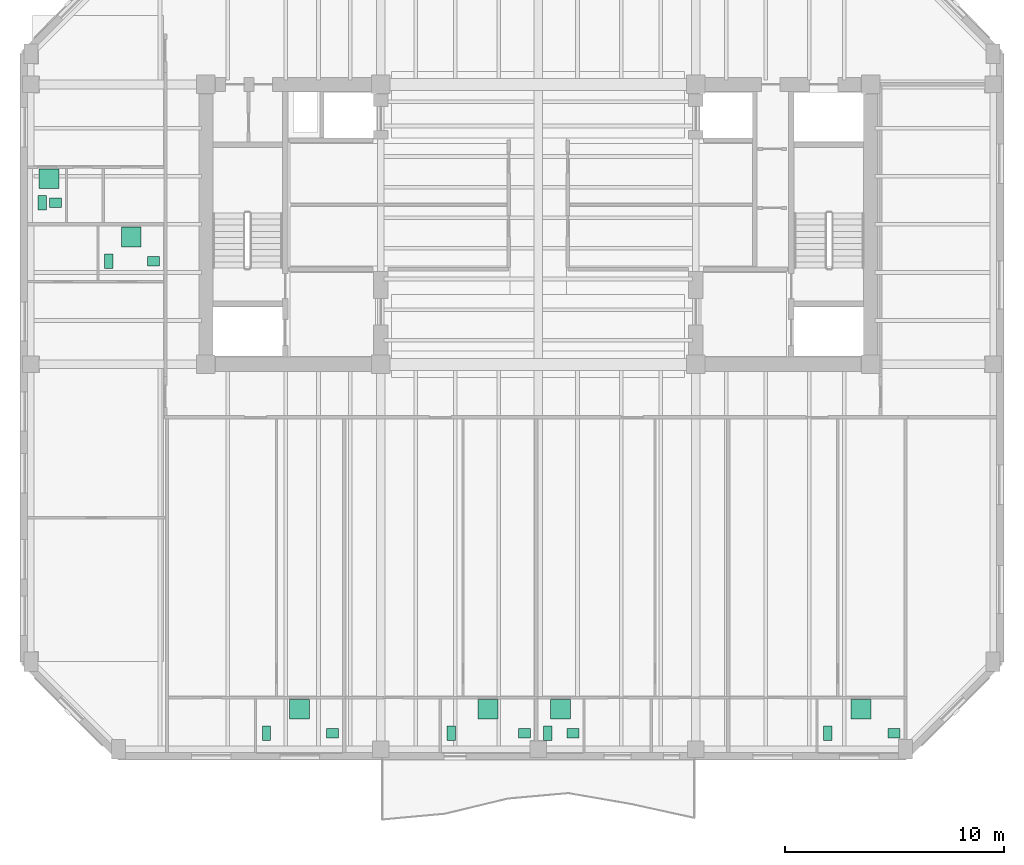
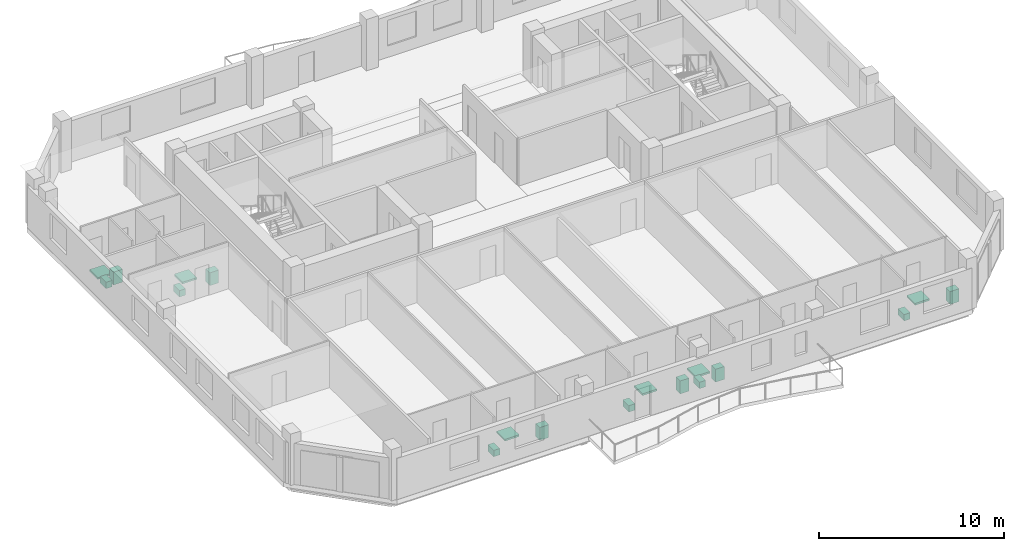
# One storey, part 11 of 11: 18 sanitary terminals.
"""IFC4 building model written with IfcOpenShell, lengths in metres."""

from ifc_helpers import new_model, si_unit, direction, frame, origin, origin_2d, place, context, subcontext, project, spatial, rectangle, extrude, material, type_object, element, save


model = new_model("IFC4")

# Units and contexts
model_context = context("Model", 3, precision=1e-05, world=origin(), true_north=direction((0.0, 1.0)))
body_context = subcontext(model_context, "Body", "Model", "MODEL_VIEW")
ifc_project = project(units=[si_unit("LENGTHUNIT", "METRE"), si_unit("AREAUNIT", "SQUARE_METRE"), si_unit("VOLUMEUNIT", "CUBIC_METRE"), si_unit("PLANEANGLEUNIT", "RADIAN"), si_unit("MASSUNIT", "GRAM", prefix="KILO")], contexts=[model_context])

# Site, building, storey
site_placement = place(None, origin())
site = spatial("IfcSite", under=ifc_project, at=site_placement, CompositionType="ELEMENT")
building_placement = place(site_placement, origin())
building = spatial("IfcBuilding", under=site, at=building_placement, Name="Kranthara Brick Stack", CompositionType="ELEMENT")
storey_placement = place(building_placement, frame((0.0, 0.0, 221.10009765625)))
storey = spatial("IfcBuildingStorey", under=building, at=storey_placement, Name="L57", CompositionType="ELEMENT", Elevation=221.10009765625)

# Sanitary terminals
ifc_material_1 = material(Name="Vitreous china sanitary porcelain", Category="other")
sanitary_terminal_type_1 = type_object("IfcSanitaryTerminalType", Name="SAN-BASIN", PredefinedType="WASHHANDBASIN", material=ifc_material_1)
for number, where, z_axis, x_axis, name in (
    (1, (18.596923828125, 3.925048828125, -0.000244140625), (0.0, 0.0, 1.0), (1.0, 0.0, 0.0), "L57 Washbasin 308"),
    (2, (27.3798828125, 3.925048828125, -0.000244140625), (0.0, 0.0, 1.0), (1.0, 0.0, 0.0), "L57 Washbasin 309"),
    (3, (29.590087890625, 3.925048828125, -0.000244140625), (0.0, 0.0, 1.0), (1.0, 0.0, 0.0), "L57 Washbasin 310"),
    (4, (44.27001953125, 3.925048828125, -0.000244140625), (0.0, 0.0, 1.0), (1.0, 0.0, 0.0), "L57 Washbasin 311"),
    (5, (10.409912109375, 25.514892578125, -0.000244140625), (0.0, 0.0, 1.0), (1.0, 0.0, 0.0), "L57 Washbasin 312"),
    (6, (5.925048828125, 28.18505859375, -0.000244140625), (0.0, 0.0, 1.0), (1.0, 0.0, 0.0), "L57 Washbasin 313"),
):
    element("IfcSanitaryTerminal", number, at=place(storey_placement, frame(where, z_axis=z_axis, x_axis=x_axis)), inside=storey, type_object=sanitary_terminal_type_1, Name=name, PredefinedType="WASHHANDBASIN", context=body_context, shape_type="SweptSolid", body=[
        extrude(rectangle(XDim=0.550048828125, YDim=0.449951171875, at=origin_2d()), origin(), (0.0, 0.0, 1.0), 0.85009765625),
    ])
ifc_material_2 = material(Name="Acrylic and porcelain shower tray", Category="other")
sanitary_terminal_type_2 = type_object("IfcSanitaryTerminalType", Name="SAN-SHOWER", PredefinedType="SHOWER", material=ifc_material_2)
for number, where, z_axis, x_axis, name in (
    (7, (17.0849609375, 5.030029296875, -0.000244140625), (0.0, 0.0, 1.0), (1.0, 0.0, 0.0), "L57 Shower Tray 308"),
    (8, (25.698974609375, 5.030029296875, -0.000244140625), (0.0, 0.0, 1.0), (1.0, 0.0, 0.0), "L57 Shower Tray 309"),
    (9, (29.014892578125, 5.030029296875, -0.000244140625), (0.0, 0.0, 1.0), (1.0, 0.0, 0.0), "L57 Shower Tray 310"),
    (10, (42.758056640625, 5.030029296875, -0.000244140625), (0.0, 0.0, 1.0), (1.0, 0.0, 0.0), "L57 Shower Tray 311"),
    (11, (9.386962890625, 26.6201171875, -0.000244140625), (0.0, 0.0, 1.0), (1.0, 0.0, 0.0), "L57 Shower Tray 312"),
    (12, (5.623046875, 29.2900390625, -0.000244140625), (0.0, 0.0, 1.0), (1.0, 0.0, 0.0), "L57 Shower Tray 313"),
):
    element("IfcSanitaryTerminal", number, at=place(storey_placement, frame(where, z_axis=z_axis, x_axis=x_axis)), inside=storey, type_object=sanitary_terminal_type_2, Name=name, PredefinedType="SHOWER", context=body_context, shape_type="SweptSolid", body=[
        extrude(rectangle(XDim=0.89990234375, YDim=0.89990234375, at=origin_2d()), origin(), (0.0, 0.0, 1.0), 0.1201171875),
    ])
ifc_material_3 = material(Name="Vitreous china sanitary porcelain", Category="other")
sanitary_terminal_type_3 = type_object("IfcSanitaryTerminalType", Name="SAN-WC-PAN", PredefinedType="TOILETPAN", material=ifc_material_3)
for number, where, z_axis, x_axis, name in (
    (13, (15.572998046875, 3.925048828125, 0.0), (0.0, 0.0, 1.0), (1.0, 0.0, 0.0), "L57 WC Pan 308"),
    (14, (24.01806640625, 3.925048828125, 0.0), (0.0, 0.0, 1.0), (1.0, 0.0, 0.0), "L57 WC Pan 309"),
    (15, (28.43994140625, 3.925048828125, 0.0), (0.0, 0.0, 1.0), (1.0, 0.0, 0.0), "L57 WC Pan 310"),
    (16, (41.24609375, 3.925048828125, 0.0), (0.0, 0.0, 1.0), (1.0, 0.0, 0.0), "L57 WC Pan 311"),
    (17, (8.364990234375, 25.514892578125, 0.0), (0.0, 0.0, 1.0), (1.0, 0.0, 0.0), "L57 WC Pan 312"),
    (18, (5.320068359375, 28.18505859375, 0.0), (0.0, 0.0, 1.0), (1.0, 0.0, 0.0), "L57 WC Pan 313"),
):
    element("IfcSanitaryTerminal", number, at=place(storey_placement, frame(where, z_axis=z_axis, x_axis=x_axis)), inside=storey, type_object=sanitary_terminal_type_3, Name=name, PredefinedType="TOILETPAN", context=body_context, shape_type="SweptSolid", body=[
        extrude(rectangle(XDim=0.3798828125, YDim=0.64990234375, at=origin_2d()), origin(), (0.0, 0.0, 1.0), 0.419921875),
    ])

save(model, "model.ifc")
